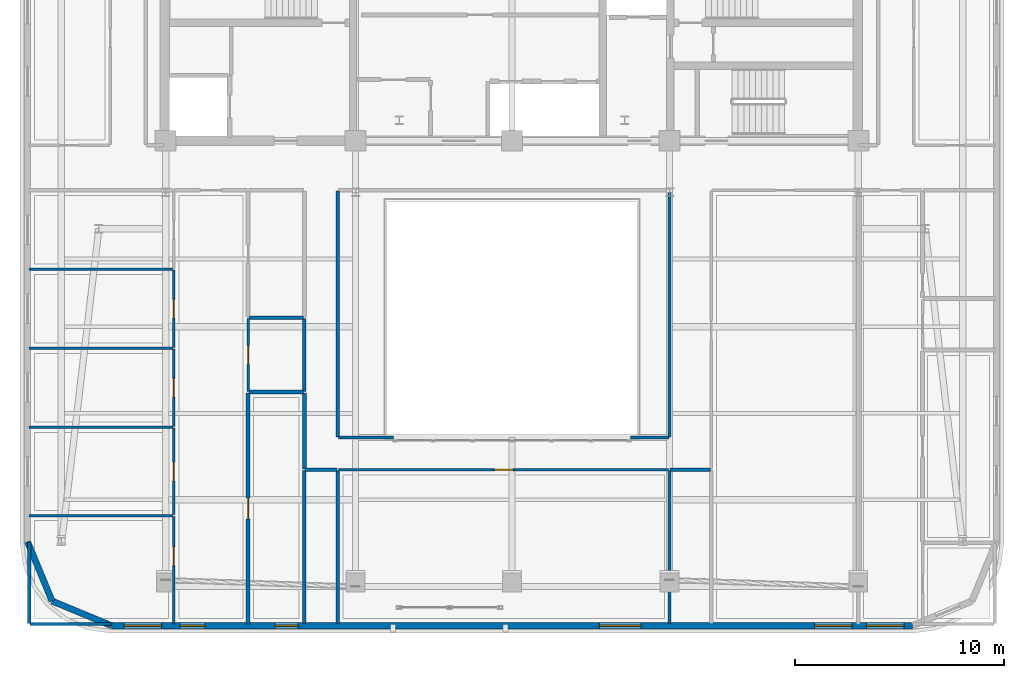
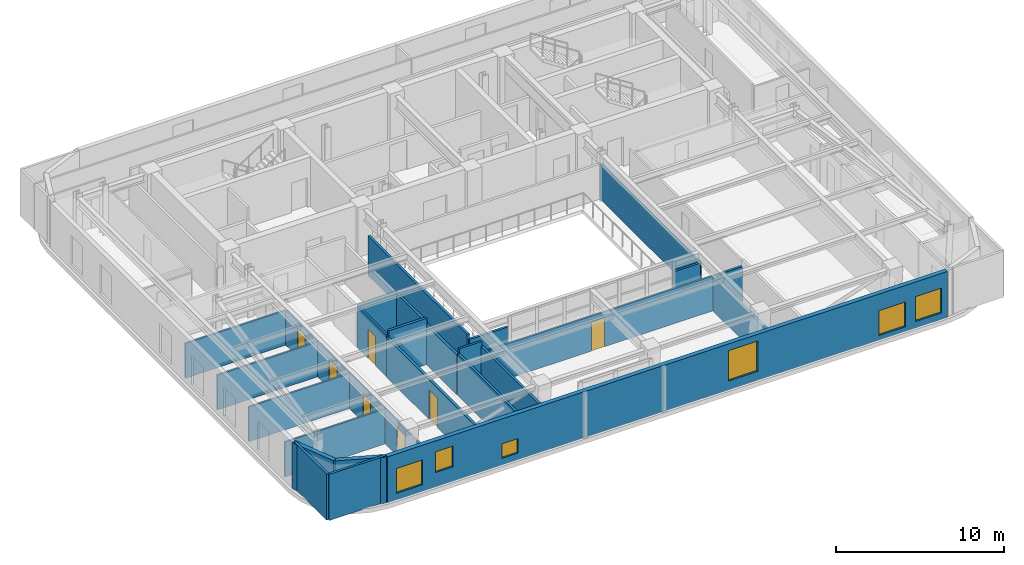
# One storey, part 6 of 14: 29 walls, 7 doors, 6 windows, 13 openings.
"""IFC4 building model written with IfcOpenShell, lengths in metres."""

from ifc_helpers import new_model, si_unit, direction, frame, frame_2d, origin, place, context, subcontext, project, spatial, rectangle, extrude, material, layer, layer_set, type_object, element, fill, save


model = new_model("IFC4")

# Units and contexts
model_context = context("Model", 3, precision=1e-05, world=origin(), true_north=direction((0.0, 1.0)))
body_context = subcontext(model_context, "Body", "Model", "MODEL_VIEW")
ifc_project = project(units=[si_unit("LENGTHUNIT", "METRE"), si_unit("AREAUNIT", "SQUARE_METRE"), si_unit("VOLUMEUNIT", "CUBIC_METRE"), si_unit("PLANEANGLEUNIT", "RADIAN"), si_unit("MASSUNIT", "GRAM", prefix="KILO")], contexts=[model_context])

# Site, building, storey
site_placement = place(None, origin())
site = spatial("IfcSite", under=ifc_project, at=site_placement, CompositionType="ELEMENT")
building_placement = place(site_placement, origin())
building = spatial("IfcBuilding", under=site, at=building_placement, Name="Zarnavel Station Tower", CompositionType="ELEMENT")
storey_placement = place(building_placement, frame((0.0, 0.0, 214.800048828125)))
storey = spatial("IfcBuildingStorey", under=building, at=storey_placement, Name="L58", CompositionType="ELEMENT", Elevation=214.800048828125)

# Walls
ifc_material_1 = material(Name="Precast concrete C45/55 (Dark Basalt Finish)", Category="masonry")
ifc_layer_1 = layer(ifc_material_1, 0.300048828125)
ifc_layer_set_1 = layer_set([ifc_layer_1], Name="EW_BASALT_300")
wall_type_1 = type_object("IfcWallType", Name="EW_BASALT_300", PredefinedType="SOLIDWALL", material=ifc_layer_set_1)
for number, where, z_axis, x_axis, name in (
    (1, (6.75732421875, 5.75732421875, 0.0), (0.0, 0.0, 1.0), (-0.382608747773, 0.923910464346, 0.0), "L58 Exterior Basalt Masonry Frame Wall 10"),
    (2, (9.60009765625, 4.580078125, 0.0), (0.0, 0.0, 1.0), (-0.923910464346, 0.382608747773, 0.0), "L58 Exterior Basalt Masonry Frame Wall 11"),
):
    element("IfcWall", number, at=place(storey_placement, frame(where, z_axis=z_axis, x_axis=x_axis)), inside=storey, type_object=wall_type_1, Name=name, PredefinedType="SOLIDWALL", context=body_context, shape_type="SweptSolid", body=[
        extrude(rectangle(XDim=3.076904296875, YDim=0.300048828125, at=frame_2d((1.53857421875, 0.0))), origin(), (0.0, 0.0, 1.0), 3.33984375),
    ])

# Wall, openings, windows
wall_1_placement = place(storey_placement, frame((48.0, 4.580078125, 0.0), z_axis=(0.0, 0.0, 1.0), x_axis=(-1.0, 0.0, 0.0)))
wall_1 = element("IfcWall", 3, at=wall_1_placement, inside=storey, type_object=wall_type_1, Name="L58 Exterior Basalt Masonry Frame Wall 12", PredefinedType="SOLIDWALL", context=body_context, shape_type="SweptSolid", body=[
    extrude(rectangle(XDim=38.39990234375, YDim=0.300048828125, at=frame_2d((19.199951171875, 0.0))), origin(), (0.0, 0.0, 1.0), 3.33984375),
])
opening_1_placement = place(wall_1_placement, frame((33.908935546875, 0.0, 1.050048828125)))
opening_1 = element("IfcOpeningElement", 4, at=opening_1_placement, cuts=wall_1, Name="Opening WN08", PredefinedType="OPENING", context=body_context, shape_type="SweptSolid", body=[
    extrude(rectangle(XDim=1.199951171875, YDim=1.5, at=frame_2d((0.60009765625, 0.75))), frame((0.0, 0.159912109375, 0.0), z_axis=(0.0, -1.0, 0.0), x_axis=(1.0, 0.0, 0.0)), (0.0, 0.0, 1.0), 0.320068359375),
])
opening_2_placement = place(wall_1_placement, frame((29.449951171875, 0.0, 0.47998046875)))
opening_2 = element("IfcOpeningElement", 5, at=opening_2_placement, cuts=wall_1, Name="Opening WN09", PredefinedType="OPENING", context=body_context, shape_type="SweptSolid", body=[
    extrude(rectangle(XDim=1.10009765625, YDim=1.050048828125, at=frame_2d((0.550048828125, 0.52490234375))), frame((0.0, 0.159912109375, 0.0), z_axis=(0.0, -1.0, 0.0), x_axis=(1.0, 0.0, 0.0)), (0.0, 0.0, 1.0), 0.320068359375),
])
opening_3_placement = place(wall_1_placement, frame((35.994384765625, 0.0, 0.47998046875)))
opening_3 = element("IfcOpeningElement", 6, at=opening_3_placement, cuts=wall_1, Name="Opening WN02", PredefinedType="OPENING", context=body_context, shape_type="SweptSolid", body=[
    extrude(rectangle(XDim=1.800048828125, YDim=1.800048828125, at=frame_2d((0.89990234375, 0.89990234375))), frame((0.0, 0.159912109375, 0.0), z_axis=(0.0, -1.0, 0.0), x_axis=(1.0, 0.0, 0.0)), (0.0, 0.0, 1.0), 0.320068359375),
])
opening_4_placement = place(wall_1_placement, frame((13.013916015625, 0.0, 0.64990234375)))
opening_4 = element("IfcOpeningElement", 7, at=opening_4_placement, cuts=wall_1, Name="Opening WN07", PredefinedType="OPENING", context=body_context, shape_type="SweptSolid", body=[
    extrude(rectangle(XDim=2.0, YDim=2.199951171875, at=frame_2d((1.0, 1.10009765625))), frame((0.0, 0.159912109375, 0.0), z_axis=(0.0, -1.0, 0.0), x_axis=(1.0, 0.0, 0.0)), (0.0, 0.0, 1.0), 0.320068359375),
])
opening_5_placement = place(wall_1_placement, frame((2.89990234375, 0.0, 0.340087890625)))
opening_5 = element("IfcOpeningElement", 8, at=opening_5_placement, cuts=wall_1, Name="Opening WN02", PredefinedType="OPENING", context=body_context, shape_type="SweptSolid", body=[
    extrude(rectangle(XDim=1.800048828125, YDim=1.800048828125, at=frame_2d((0.89990234375, 0.89990234375))), frame((0.0, 0.159912109375, 0.0), z_axis=(0.0, -1.0, 0.0), x_axis=(1.0, 0.0, 0.0)), (0.0, 0.0, 1.0), 0.320068359375),
])
opening_6_placement = place(wall_1_placement, frame((0.409912109375, 0.0, 0.47998046875)))
opening_6 = element("IfcOpeningElement", 9, at=opening_6_placement, cuts=wall_1, Name="Opening WN02", PredefinedType="OPENING", context=body_context, shape_type="SweptSolid", body=[
    extrude(rectangle(XDim=1.800048828125, YDim=1.800048828125, at=frame_2d((0.89990234375, 0.89990234375))), frame((0.0, 0.159912109375, 0.0), z_axis=(0.0, -1.0, 0.0), x_axis=(1.0, 0.0, 0.0)), (0.0, 0.0, 1.0), 0.320068359375),
])
ifc_material_2 = material(Name="Thermally Broken Black Aluminium and Low-E Dark Glass", Category="aluminium")
window_type_1 = type_object("IfcWindowType", Name="WN_1100x1050", PartitioningType="SINGLE_PANEL", PredefinedType="WINDOW", material=ifc_material_2)
window_1_placement = place(opening_2_placement, origin())
window_1 = element("IfcWindow", 10, at=window_1_placement, inside=storey, type_object=window_type_1, Name="L58 Recessed Facade Window 02", OverallHeight=1.050048828125, OverallWidth=1.10009765625, PartitioningType="SINGLE_PANEL", PredefinedType="WINDOW", context=body_context, shape_type="SweptSolid", body=[
    extrude(rectangle(XDim=1.10009765625, YDim=1.050048828125, at=frame_2d((0.550048828125, 0.52490234375))), frame((0.0, 0.030029296875, 0.0), z_axis=(0.0, -1.0, 0.0), x_axis=(1.0, 0.0, 0.0)), (0.0, 0.0, 1.0), 0.06005859375),
])
fill(opening_2, window_1)
ifc_material_3 = material(Name="Thermally Broken Black Aluminium and Low-E Dark Glass", Category="aluminium")
window_type_2 = type_object("IfcWindowType", Name="WN_1200x1500", PartitioningType="SINGLE_PANEL", PredefinedType="WINDOW", material=ifc_material_3)
window_2_placement = place(opening_1_placement, origin())
window_2 = element("IfcWindow", 11, at=window_2_placement, inside=storey, type_object=window_type_2, Name="L58 Recessed Facade Window 01", OverallHeight=1.5, OverallWidth=1.199951171875, PartitioningType="SINGLE_PANEL", PredefinedType="WINDOW", context=body_context, shape_type="SweptSolid", body=[
    extrude(rectangle(XDim=1.199951171875, YDim=1.5, at=frame_2d((0.60009765625, 0.75))), frame((0.0, 0.030029296875, 0.0), z_axis=(0.0, -1.0, 0.0), x_axis=(1.0, 0.0, 0.0)), (0.0, 0.0, 1.0), 0.06005859375),
])
fill(opening_1, window_2)
ifc_material_4 = material(Name="Thermally Broken Black Aluminium and Low-E Dark Glass", Category="aluminium")
window_type_3 = type_object("IfcWindowType", Name="WN_1800x1800", PartitioningType="DOUBLE_PANEL_VERTICAL", PredefinedType="WINDOW", material=ifc_material_4)
window_3_placement = place(opening_3_placement, origin())
window_3 = element("IfcWindow", 12, at=window_3_placement, inside=storey, type_object=window_type_3, Name="L58 Recessed Facade Window 03", OverallHeight=1.800048828125, OverallWidth=1.800048828125, PartitioningType="SINGLE_PANEL", PredefinedType="WINDOW", context=body_context, shape_type="SweptSolid", body=[
    extrude(rectangle(XDim=1.800048828125, YDim=1.800048828125, at=frame_2d((0.89990234375, 0.89990234375))), frame((0.0, 0.030029296875, 0.0), z_axis=(0.0, -1.0, 0.0), x_axis=(1.0, 0.0, 0.0)), (0.0, 0.0, 1.0), 0.06005859375),
])
fill(opening_3, window_3)
window_4_placement = place(opening_5_placement, origin())
window_4 = element("IfcWindow", 13, at=window_4_placement, inside=storey, type_object=window_type_3, Name="L58 Recessed Facade Window 05", OverallHeight=1.800048828125, OverallWidth=1.800048828125, PartitioningType="SINGLE_PANEL", PredefinedType="WINDOW", context=body_context, shape_type="SweptSolid", body=[
    extrude(rectangle(XDim=1.800048828125, YDim=1.800048828125, at=frame_2d((0.89990234375, 0.89990234375))), frame((0.0, 0.030029296875, 0.0), z_axis=(0.0, -1.0, 0.0), x_axis=(1.0, 0.0, 0.0)), (0.0, 0.0, 1.0), 0.06005859375),
])
fill(opening_5, window_4)
window_5_placement = place(opening_6_placement, origin())
window_5 = element("IfcWindow", 14, at=window_5_placement, inside=storey, type_object=window_type_3, Name="L58 Recessed Facade Window 06", OverallHeight=1.800048828125, OverallWidth=1.800048828125, PartitioningType="SINGLE_PANEL", PredefinedType="WINDOW", context=body_context, shape_type="SweptSolid", body=[
    extrude(rectangle(XDim=1.800048828125, YDim=1.800048828125, at=frame_2d((0.89990234375, 0.89990234375))), frame((0.0, 0.030029296875, 0.0), z_axis=(0.0, -1.0, 0.0), x_axis=(1.0, 0.0, 0.0)), (0.0, 0.0, 1.0), 0.06005859375),
])
fill(opening_6, window_5)
ifc_material_5 = material(Name="Thermally Broken Black Aluminium and Low-E Dark Glass", Category="aluminium")
window_type_4 = type_object("IfcWindowType", Name="WN_2000x2200", PartitioningType="TRIPLE_PANEL_VERTICAL", PredefinedType="WINDOW", material=ifc_material_5)
window_6_placement = place(opening_4_placement, origin())
window_6 = element("IfcWindow", 15, at=window_6_placement, inside=storey, type_object=window_type_4, Name="L58 Recessed Facade Window 04", OverallHeight=2.199951171875, OverallWidth=2.0, PartitioningType="SINGLE_PANEL", PredefinedType="WINDOW", context=body_context, shape_type="SweptSolid", body=[
    extrude(rectangle(XDim=2.0, YDim=2.199951171875, at=frame_2d((1.0, 1.10009765625))), frame((0.0, 0.030029296875, 0.0), z_axis=(0.0, -1.0, 0.0), x_axis=(1.0, 0.0, 0.0)), (0.0, 0.0, 1.0), 0.06005859375),
])
fill(opening_4, window_6)

# Walls
ifc_material_6 = material(Name="Gypsum Twin-Stud Acoustic Fire Partition", Category="concrete")
ifc_layer_2 = layer(ifc_material_6, 0.159912109375)
ifc_layer_set_2 = layer_set([ifc_layer_2], Name="PT_DEMISE_160")
wall_type_2 = type_object("IfcWallType", Name="PT_DEMISE_160", PredefinedType="PARTITIONING", material=ifc_layer_set_2)
wall_2_placement = place(storey_placement, frame((18.85009765625, 15.81103515625, 0.0), z_axis=(0.0, 0.0, 1.0), x_axis=(0.0, 1.0, 0.0)))
element("IfcWall", 16, at=wall_2_placement, inside=storey, type_object=wall_type_2, Name="L58 Partition COR-AW-UW1UT", PredefinedType="PARTITIONING", context=body_context, shape_type="SweptSolid", body=[
    extrude(rectangle(XDim=3.488037109375, YDim=0.159912109375, at=frame_2d((1.744140625, 0.0))), origin(), (0.0, 0.0, 1.0), 3.010009765625),
])
wall_3_placement = place(storey_placement, frame((18.8798828125, 12.050048828125, 0.0), z_axis=(0.0, 0.0, 1.0), x_axis=(1.0, 0.0, 0.0)))
element("IfcWall", 17, at=wall_3_placement, inside=storey, type_object=wall_type_2, Name="L58 Enclosure Wall COR-AW", PredefinedType="PARTITIONING", context=body_context, shape_type="SweptSolid", body=[
    extrude(rectangle(XDim=1.5400390625, YDim=0.159912109375, at=frame_2d((0.77001953125, 0.0))), origin(), (0.0, 0.0, 1.0), 3.33984375),
])
wall_4_placement = place(storey_placement, frame((20.449951171875, 13.6298828125, 0.0), z_axis=(0.0, 0.0, 1.0), x_axis=(0.0, 1.0, 0.0)))
element("IfcWall", 18, at=wall_4_placement, inside=storey, type_object=wall_type_2, Name="L58 Enclosure Wall COR-AW", PredefinedType="PARTITIONING", context=body_context, shape_type="SweptSolid", body=[
    extrude(rectangle(XDim=11.7900390625, YDim=0.159912109375, at=frame_2d((5.89501953125, 0.0))), origin(), (0.0, 0.0, 1.0), 2.869873046875),
])
wall_5_placement = place(storey_placement, frame((36.3798828125, 12.050048828125, 0.0), z_axis=(0.0, 0.0, 1.0), x_axis=(1.0, 0.0, 0.0)))
element("IfcWall", 19, at=wall_5_placement, inside=storey, type_object=wall_type_2, Name="L58 Enclosure Wall COR-AE", PredefinedType="PARTITIONING", context=body_context, shape_type="SweptSolid", body=[
    extrude(rectangle(XDim=1.940185546875, YDim=0.159912109375, at=frame_2d((0.97021484375, 0.0))), origin(), (0.0, 0.0, 1.0), 2.52001953125),
])
wall_6_placement = place(storey_placement, frame((36.35009765625, 13.6298828125, 0.0), z_axis=(0.0, 0.0, 1.0), x_axis=(0.0, 1.0, 0.0)))
element("IfcWall", 20, at=wall_6_placement, inside=storey, type_object=wall_type_2, Name="L58 Enclosure Wall COR-AE", PredefinedType="PARTITIONING", context=body_context, shape_type="SweptSolid", body=[
    extrude(rectangle(XDim=11.7900390625, YDim=0.159912109375, at=frame_2d((5.89501953125, 0.0))), origin(), (0.0, 0.0, 1.0), 2.52001953125),
])
wall_7_placement = place(storey_placement, frame((20.47998046875, 13.60009765625, 0.0), z_axis=(0.0, 0.0, 1.0), x_axis=(1.0, 0.0, 0.0)))
element("IfcWall", 21, at=wall_7_placement, inside=storey, type_object=wall_type_2, Name="L58 Enclosure Wall COR-AS", PredefinedType="PARTITIONING", context=body_context, shape_type="SweptSolid", body=[
    extrude(rectangle(XDim=2.64013671875, YDim=0.159912109375, at=frame_2d((1.320068359375, 0.0))), origin(), (0.0, 0.0, 1.0), 2.52001953125),
])
wall_8_placement = place(storey_placement, frame((34.47998046875, 13.60009765625, 0.0), z_axis=(0.0, 0.0, 1.0), x_axis=(1.0, 0.0, 0.0)))
element("IfcWall", 22, at=wall_8_placement, inside=storey, type_object=wall_type_2, Name="L58 Enclosure Wall COR-AS", PredefinedType="PARTITIONING", context=body_context, shape_type="SweptSolid", body=[
    extrude(rectangle(XDim=1.840087890625, YDim=0.159912109375, at=frame_2d((0.919921875, 0.0))), origin(), (0.0, 0.0, 1.0), 2.52001953125),
])
wall_9_placement = place(storey_placement, frame((18.85009765625, 4.68994140625, 0.0), z_axis=(0.0, 0.0, 1.0), x_axis=(0.0, 1.0, 0.0)))
element("IfcWall", 23, at=wall_9_placement, inside=storey, type_object=wall_type_2, Name="L58 Enclosure Wall UW1KT", PredefinedType="PARTITIONING", context=body_context, shape_type="SweptSolid", body=[
    extrude(rectangle(XDim=7.330078125, YDim=0.159912109375, at=frame_2d((3.6650390625, 0.0))), origin(), (0.0, 0.0, 1.0), 3.0),
])
for number, where, z_axis, x_axis, name in (
    (24, (5.68994140625, 4.659912109375, 0.0), (0.0, 0.0, 1.0), (1.0, 0.0, 0.0), "L58 Enclosure Wall UW1B1"),
    (25, (5.659912109375, 4.68994140625, 0.0), (0.0, 0.0, 1.0), (0.0, 1.0, 0.0), "L58 Enclosure Wall UW1B1"),
):
    element("IfcWall", number, at=place(storey_placement, frame(where, z_axis=z_axis, x_axis=x_axis)), inside=storey, type_object=wall_type_2, Name=name, PredefinedType="PARTITIONING", context=body_context, shape_type="SweptSolid", body=[
        extrude(rectangle(XDim=3.880126953125, YDim=0.159912109375, at=frame_2d((1.93994140625, 0.0))), origin(), (0.0, 0.0, 1.0), 3.33984375),
    ])
wall_10_placement = place(storey_placement, frame((20.449951171875, 4.68994140625, 0.0), z_axis=(0.0, 0.0, 1.0), x_axis=(0.0, 1.0, 0.0)))
element("IfcWall", 26, at=wall_10_placement, inside=storey, type_object=wall_type_2, Name="L58 Enclosure Wall L57WIN", PredefinedType="PARTITIONING", context=body_context, shape_type="SweptSolid", body=[
    extrude(rectangle(XDim=7.330078125, YDim=0.159912109375, at=frame_2d((3.6650390625, 0.0))), origin(), (0.0, 0.0, 1.0), 3.0),
])
wall_11_placement = place(storey_placement, frame((36.35009765625, 4.68994140625, 0.0), z_axis=(0.0, 0.0, 1.0), x_axis=(0.0, 1.0, 0.0)))
element("IfcWall", 27, at=wall_11_placement, inside=storey, type_object=wall_type_2, Name="L58 Enclosure Wall L57WIN", PredefinedType="PARTITIONING", context=body_context, shape_type="SweptSolid", body=[
    extrude(rectangle(XDim=7.330078125, YDim=0.159912109375, at=frame_2d((3.6650390625, 0.0))), origin(), (0.0, 0.0, 1.0), 2.52001953125),
])

# Wall, opening, door
ifc_material_7 = material(Name="Gypsum Metal-Stud Interior Partition", Category="concrete")
ifc_layer_3 = layer(ifc_material_7, 0.1201171875)
ifc_layer_set_3 = layer_set([ifc_layer_3], Name="PT_ROOM_120")
wall_type_3 = type_object("IfcWallType", Name="PT_ROOM_120", PredefinedType="PARTITIONING", material=ifc_layer_set_3)
wall_12_placement = place(storey_placement, frame((20.489990234375, 12.050048828125, 0.0), z_axis=(0.0, 0.0, 1.0), x_axis=(1.0, 0.0, 0.0)))
wall_12 = element("IfcWall", 28, at=wall_12_placement, inside=storey, type_object=wall_type_3, Name="L58 Partition COR-AS-L57WIN", PredefinedType="PARTITIONING", context=body_context, shape_type="SweptSolid", body=[
    extrude(rectangle(XDim=15.820068359375, YDim=0.1201171875, at=frame_2d((7.91015625, 0.0))), origin(), (0.0, 0.0, 1.0), 2.52001953125),
])
opening_7_placement = place(wall_12_placement, frame((7.4599609375, 0.0, 0.0)))
opening_7 = element("IfcOpeningElement", 29, at=opening_7_placement, cuts=wall_12, Name="Opening ID01", PredefinedType="OPENING", context=body_context, shape_type="SweptSolid", body=[
    extrude(rectangle(XDim=0.89990234375, YDim=2.10009765625, at=frame_2d((0.449951171875, 1.050048828125))), frame((0.0, 0.070068359375, 0.0), z_axis=(0.0, -1.0, 0.0), x_axis=(1.0, 0.0, 0.0)), (0.0, 0.0, 1.0), 0.14013671875),
])
ifc_material_8 = material(Name="Painted Galvanised Steel and Hardwood Leaf", Category="steel")
door_type_1 = type_object("IfcDoorType", Name="ID_ROOM_900", OperationType="NOTDEFINED", PredefinedType="DOOR", material=ifc_material_8)
door_1_placement = place(opening_7_placement, origin())
door_1 = element("IfcDoor", 30, at=door_1_placement, inside=storey, type_object=door_type_1, Name="L58 Door COR-AS-L57WIN", OperationType="SINGLE_SWING_RIGHT", OverallHeight=2.10009765625, OverallWidth=0.89990234375, PredefinedType="DOOR", context=body_context, shape_type="SweptSolid", body=[
    extrude(rectangle(XDim=0.89990234375, YDim=2.10009765625, at=frame_2d((0.449951171875, 1.050048828125))), frame((0.0, 0.02490234375, 0.0), z_axis=(0.0, -1.0, 0.0), x_axis=(1.0, 0.0, 0.0)), (0.0, 0.0, 1.0), 0.050048828125),
])
fill(opening_7, door_1)

wall_13_placement = place(storey_placement, frame((16.14990234375, 15.81103515625, 0.0), z_axis=(0.0, 0.0, 1.0), x_axis=(0.0, 1.0, 0.0)))
wall_13 = element("IfcWall", 31, at=wall_13_placement, inside=storey, type_object=wall_type_3, Name="L58 Partition UW1LV-UW1UT", PredefinedType="PARTITIONING", context=body_context, shape_type="SweptSolid", body=[
    extrude(rectangle(XDim=3.488037109375, YDim=0.1201171875, at=frame_2d((1.744140625, 0.0))), origin(), (0.0, 0.0, 1.0), 3.010009765625),
])
opening_8_placement = place(wall_13_placement, frame((1.2939453125, 0.0, 0.0)))
opening_8 = element("IfcOpeningElement", 32, at=opening_8_placement, cuts=wall_13, Name="Opening ID01", PredefinedType="OPENING", context=body_context, shape_type="SweptSolid", body=[
    extrude(rectangle(XDim=0.89990234375, YDim=2.10009765625, at=frame_2d((0.449951171875, 1.050048828125))), frame((0.0, 0.070068359375, 0.0), z_axis=(0.0, -1.0, 0.0), x_axis=(1.0, 0.0, 0.0)), (0.0, 0.0, 1.0), 0.14013671875),
])
door_2_placement = place(opening_8_placement, origin())
door_2 = element("IfcDoor", 33, at=door_2_placement, inside=storey, type_object=door_type_1, Name="L58 Door UW1LV-UW1UT", OperationType="SINGLE_SWING_RIGHT", OverallHeight=2.10009765625, OverallWidth=0.89990234375, PredefinedType="DOOR", context=body_context, shape_type="SweptSolid", body=[
    extrude(rectangle(XDim=0.89990234375, YDim=2.10009765625, at=frame_2d((0.449951171875, 1.050048828125))), frame((0.0, 0.02490234375, 0.0), z_axis=(0.0, -1.0, 0.0), x_axis=(1.0, 0.0, 0.0)), (0.0, 0.0, 1.0), 0.050048828125),
])
fill(opening_8, door_2)

wall_14_placement = place(storey_placement, frame((12.591064453125, 9.81689453125, 0.0), z_axis=(0.0, 0.0, 1.0), x_axis=(0.0, -1.0, 0.0)))
wall_14 = element("IfcWall", 34, at=wall_14_placement, inside=storey, type_object=wall_type_3, Name="L58 Partition UW1LV-UW1B1", PredefinedType="PARTITIONING", context=body_context, shape_type="SweptSolid", body=[
    extrude(rectangle(XDim=5.156982421875, YDim=0.1201171875, at=frame_2d((2.57861328125, 0.0))), origin(), (0.0, 0.0, 1.0), 2.52001953125),
])
opening_9_placement = place(wall_14_placement, frame((1.4658203125, 0.0, 0.0)))
opening_9 = element("IfcOpeningElement", 35, at=opening_9_placement, cuts=wall_14, Name="Opening ID01", PredefinedType="OPENING", context=body_context, shape_type="SweptSolid", body=[
    extrude(rectangle(XDim=0.89990234375, YDim=2.10009765625, at=frame_2d((0.449951171875, 1.050048828125))), frame((0.0, 0.070068359375, 0.0), z_axis=(0.0, -1.0, 0.0), x_axis=(1.0, 0.0, 0.0)), (0.0, 0.0, 1.0), 0.14013671875),
])
door_3_placement = place(opening_9_placement, origin())
door_3 = element("IfcDoor", 36, at=door_3_placement, inside=storey, type_object=door_type_1, Name="L58 Door UW1LV-UW1B1", OperationType="SINGLE_SWING_RIGHT", OverallHeight=2.10009765625, OverallWidth=0.89990234375, PredefinedType="DOOR", context=body_context, shape_type="SweptSolid", body=[
    extrude(rectangle(XDim=0.89990234375, YDim=2.10009765625, at=frame_2d((0.449951171875, 1.050048828125))), frame((0.0, 0.02490234375, 0.0), z_axis=(0.0, -1.0, 0.0), x_axis=(1.0, 0.0, 0.0)), (0.0, 0.0, 1.0), 0.050048828125),
])
fill(opening_9, door_3)

wall_15_placement = place(storey_placement, frame((12.591064453125, 9.89697265625, 0.0), z_axis=(0.0, 0.0, 1.0), x_axis=(0.0, 1.0, 0.0)))
wall_15 = element("IfcWall", 37, at=wall_15_placement, inside=storey, type_object=wall_type_3, Name="L58 Partition UW1LV-UW1B2", PredefinedType="PARTITIONING", context=body_context, shape_type="SweptSolid", body=[
    extrude(rectangle(XDim=4.14794921875, YDim=0.1201171875, at=frame_2d((2.073974609375, 0.0))), origin(), (0.0, 0.0, 1.0), 2.52001953125),
])
opening_10_placement = place(wall_15_placement, frame((1.6240234375, 0.0, 0.0)))
opening_10 = element("IfcOpeningElement", 38, at=opening_10_placement, cuts=wall_15, Name="Opening ID01", PredefinedType="OPENING", context=body_context, shape_type="SweptSolid", body=[
    extrude(rectangle(XDim=0.89990234375, YDim=2.10009765625, at=frame_2d((0.449951171875, 1.050048828125))), frame((0.0, 0.070068359375, 0.0), z_axis=(0.0, -1.0, 0.0), x_axis=(1.0, 0.0, 0.0)), (0.0, 0.0, 1.0), 0.14013671875),
])
door_4_placement = place(opening_10_placement, origin())
door_4 = element("IfcDoor", 39, at=door_4_placement, inside=storey, type_object=door_type_1, Name="L58 Door UW1LV-UW1B2", OperationType="SINGLE_SWING_LEFT", OverallHeight=2.10009765625, OverallWidth=0.89990234375, PredefinedType="DOOR", context=body_context, shape_type="SweptSolid", body=[
    extrude(rectangle(XDim=0.89990234375, YDim=2.10009765625, at=frame_2d((0.449951171875, 1.050048828125))), frame((0.0, 0.02490234375, 0.0), z_axis=(0.0, -1.0, 0.0), x_axis=(1.0, 0.0, 0.0)), (0.0, 0.0, 1.0), 0.050048828125),
])
fill(opening_10, door_4)

wall_16_placement = place(storey_placement, frame((12.591064453125, 14.125, 0.0), z_axis=(0.0, 0.0, 1.0), x_axis=(0.0, 1.0, 0.0)))
wall_16 = element("IfcWall", 40, at=wall_16_placement, inside=storey, type_object=wall_type_3, Name="L58 Partition UW1LV-UW1B3", PredefinedType="PARTITIONING", context=body_context, shape_type="SweptSolid", body=[
    extrude(rectangle(XDim=3.7080078125, YDim=0.1201171875, at=frame_2d((1.85400390625, 0.0))), origin(), (0.0, 0.0, 1.0), 2.52001953125),
])
opening_11_placement = place(wall_16_placement, frame((1.404052734375, 0.0, 0.0)))
opening_11 = element("IfcOpeningElement", 41, at=opening_11_placement, cuts=wall_16, Name="Opening ID01", PredefinedType="OPENING", context=body_context, shape_type="SweptSolid", body=[
    extrude(rectangle(XDim=0.89990234375, YDim=2.10009765625, at=frame_2d((0.449951171875, 1.050048828125))), frame((0.0, 0.070068359375, 0.0), z_axis=(0.0, -1.0, 0.0), x_axis=(1.0, 0.0, 0.0)), (0.0, 0.0, 1.0), 0.14013671875),
])
door_5_placement = place(opening_11_placement, origin())
door_5 = element("IfcDoor", 42, at=door_5_placement, inside=storey, type_object=door_type_1, Name="L58 Door UW1LV-UW1B3", OperationType="SINGLE_SWING_RIGHT", OverallHeight=2.10009765625, OverallWidth=0.89990234375, PredefinedType="DOOR", context=body_context, shape_type="SweptSolid", body=[
    extrude(rectangle(XDim=0.89990234375, YDim=2.10009765625, at=frame_2d((0.449951171875, 1.050048828125))), frame((0.0, 0.02490234375, 0.0), z_axis=(0.0, -1.0, 0.0), x_axis=(1.0, 0.0, 0.0)), (0.0, 0.0, 1.0), 0.050048828125),
])
fill(opening_11, door_5)

wall_17_placement = place(storey_placement, frame((12.591064453125, 17.9130859375, 0.0), z_axis=(0.0, 0.0, 1.0), x_axis=(0.0, 1.0, 0.0)))
wall_17 = element("IfcWall", 43, at=wall_17_placement, inside=storey, type_object=wall_type_3, Name="L58 Partition UW1LV-UW1B4", PredefinedType="PARTITIONING", context=body_context, shape_type="SweptSolid", body=[
    extrude(rectangle(XDim=3.7080078125, YDim=0.1201171875, at=frame_2d((1.85400390625, 0.0))), origin(), (0.0, 0.0, 1.0), 2.52001953125),
])
opening_12_placement = place(wall_17_placement, frame((1.404052734375, 0.0, 0.0)))
opening_12 = element("IfcOpeningElement", 44, at=opening_12_placement, cuts=wall_17, Name="Opening ID01", PredefinedType="OPENING", context=body_context, shape_type="SweptSolid", body=[
    extrude(rectangle(XDim=0.89990234375, YDim=2.10009765625, at=frame_2d((0.449951171875, 1.050048828125))), frame((0.0, 0.070068359375, 0.0), z_axis=(0.0, -1.0, 0.0), x_axis=(1.0, 0.0, 0.0)), (0.0, 0.0, 1.0), 0.14013671875),
])
door_6_placement = place(opening_12_placement, origin())
door_6 = element("IfcDoor", 45, at=door_6_placement, inside=storey, type_object=door_type_1, Name="L58 Door UW1LV-UW1B4", OperationType="SINGLE_SWING_LEFT", OverallHeight=2.10009765625, OverallWidth=0.89990234375, PredefinedType="DOOR", context=body_context, shape_type="SweptSolid", body=[
    extrude(rectangle(XDim=0.89990234375, YDim=2.10009765625, at=frame_2d((0.449951171875, 1.050048828125))), frame((0.0, 0.02490234375, 0.0), z_axis=(0.0, -1.0, 0.0), x_axis=(1.0, 0.0, 0.0)), (0.0, 0.0, 1.0), 0.050048828125),
])
fill(opening_12, door_6)

# Walls
for number, where, z_axis, x_axis, name in (
    (46, (5.659912109375, 9.85693359375, 0.0), (0.0, 0.0, 1.0), (1.0, 0.0, 0.0), "L58 Partition UW1B1-UW1B2"),
    (47, (5.659912109375, 14.0849609375, 0.0), (0.0, 0.0, 1.0), (1.0, 0.0, 0.0), "L58 Partition UW1B2-UW1B3"),
    (48, (5.659912109375, 17.873046875, 0.0), (0.0, 0.0, 1.0), (1.0, 0.0, 0.0), "L58 Partition UW1B3-UW1B4"),
    (49, (5.659912109375, 21.660888671875, 0.0), (0.0, 0.0, 1.0), (1.0, 0.0, 0.0), "L58 Partition UW1B4-UW1B5"),
):
    element("IfcWall", number, at=place(storey_placement, frame(where, z_axis=z_axis, x_axis=x_axis)), inside=storey, type_object=wall_type_3, Name=name, PredefinedType="PARTITIONING", context=body_context, shape_type="SweptSolid", body=[
        extrude(rectangle(XDim=6.89111328125, YDim=0.1201171875, at=frame_2d((3.445556640625, 0.0))), origin(), (0.0, 0.0, 1.0), 2.52001953125),
    ])
ifc_material_9 = material(Name="Moisture-Resistant Plumbing Chase Wall", Category="concrete")
ifc_layer_4 = layer(ifc_material_9, 0.179931640625)
ifc_layer_set_4 = layer_set([ifc_layer_4], Name="PW_PLUMB_180")
wall_type_4 = type_object("IfcWallType", Name="PW_PLUMB_180", PredefinedType="PLUMBINGWALL", material=ifc_layer_set_4)
wall_18_placement = place(storey_placement, frame((18.85009765625, 12.090087890625, 0.0), z_axis=(0.0, 0.0, 1.0), x_axis=(0.0, 1.0, 0.0)))
element("IfcWall", 50, at=wall_18_placement, inside=storey, type_object=wall_type_4, Name="L58 Partition COR-AW-UW1KT", PredefinedType="PLUMBINGWALL", context=body_context, shape_type="SweptSolid", body=[
    extrude(rectangle(XDim=3.640869140625, YDim=0.179931640625, at=frame_2d((1.8203125, 0.0))), origin(), (0.0, 0.0, 1.0), 2.869873046875),
])

# Wall, opening, door
wall_19_placement = place(storey_placement, frame((16.14990234375, 4.659912109375, 0.0), z_axis=(0.0, 0.0, 1.0), x_axis=(0.0, 1.0, 0.0)))
wall_19 = element("IfcWall", 51, at=wall_19_placement, inside=storey, type_object=wall_type_4, Name="L58 Partition UW1LV-UW1KT", PredefinedType="PLUMBINGWALL", context=body_context, shape_type="SweptSolid", body=[
    extrude(rectangle(XDim=11.071044921875, YDim=0.179931640625, at=frame_2d((5.53564453125, 0.0))), origin(), (0.0, 0.0, 1.0), 2.869873046875),
])
opening_13_placement = place(wall_19_placement, frame((5.035400390625, 0.0, 0.0)))
opening_13 = element("IfcOpeningElement", 52, at=opening_13_placement, cuts=wall_19, Name="Opening FD02", PredefinedType="OPENING", context=body_context, shape_type="SweptSolid", body=[
    extrude(rectangle(XDim=1.0, YDim=2.14990234375, at=frame_2d((0.5, 1.074951171875))), frame((0.0, 0.099853515625, 0.0), z_axis=(0.0, -1.0, 0.0), x_axis=(1.0, 0.0, 0.0)), (0.0, 0.0, 1.0), 0.199951171875),
])
ifc_material_10 = material(Name="Painted Galvanised Steel and Hardwood Leaf", Category="steel")
door_type_2 = type_object("IfcDoorType", Name="ID_ENTRY_1000", OperationType="NOTDEFINED", PredefinedType="DOOR", material=ifc_material_10)
door_7_placement = place(opening_13_placement, origin())
door_7 = element("IfcDoor", 53, at=door_7_placement, inside=storey, type_object=door_type_2, Name="L58 Door UW1LV-UW1KT", OperationType="SINGLE_SWING_LEFT", OverallHeight=2.14990234375, OverallWidth=1.0, PredefinedType="DOOR", context=body_context, shape_type="SweptSolid", body=[
    extrude(rectangle(XDim=1.0, YDim=2.14990234375, at=frame_2d((0.5, 1.074951171875))), frame((0.0, 0.02490234375, 0.0), z_axis=(0.0, -1.0, 0.0), x_axis=(1.0, 0.0, 0.0)), (0.0, 0.0, 1.0), 0.050048828125),
])
fill(opening_13, door_7)

# Walls
wall_20_placement = place(storey_placement, frame((16.18994140625, 15.77099609375, 0.0), z_axis=(0.0, 0.0, 1.0), x_axis=(1.0, 0.0, 0.0)))
element("IfcWall", 54, at=wall_20_placement, inside=storey, type_object=wall_type_4, Name="L58 Partition UW1KT-UW1UT", PredefinedType="PLUMBINGWALL", context=body_context, shape_type="SweptSolid", body=[
    extrude(rectangle(XDim=2.6201171875, YDim=0.179931640625, at=frame_2d((1.31005859375, 0.0))), origin(), (0.0, 0.0, 1.0), 3.33984375),
])
wall_21_placement = place(storey_placement, frame((16.18994140625, 19.339111328125, 0.0), z_axis=(0.0, 0.0, 1.0), x_axis=(1.0, 0.0, 0.0)))
element("IfcWall", 55, at=wall_21_placement, inside=storey, type_object=wall_type_4, Name="L58 Partition UW1UT-UW1BA", PredefinedType="PLUMBINGWALL", context=body_context, shape_type="SweptSolid", body=[
    extrude(rectangle(XDim=2.6201171875, YDim=0.179931640625, at=frame_2d((1.31005859375, 0.0))), origin(), (0.0, 0.0, 1.0), 3.010009765625),
])

save(model, "model.ifc")
